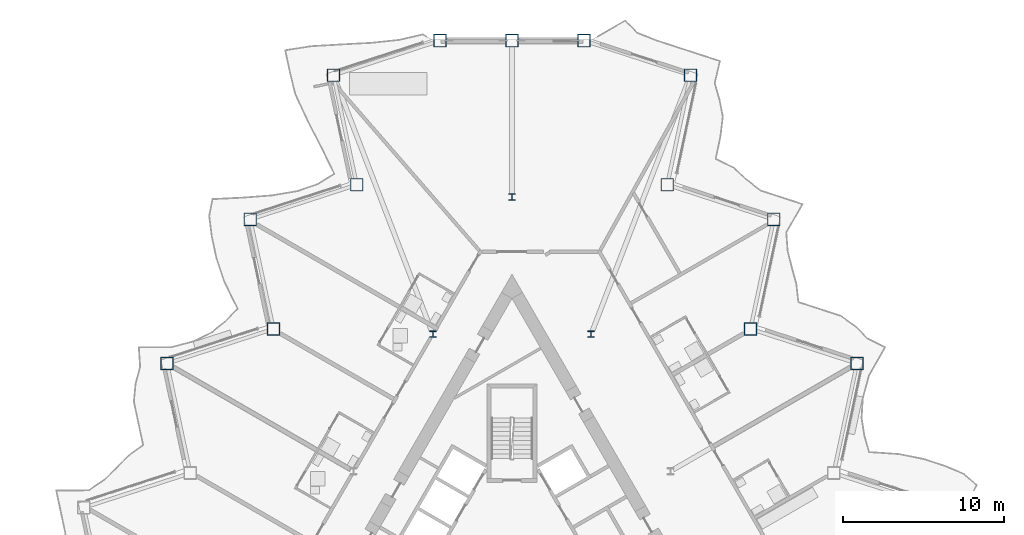
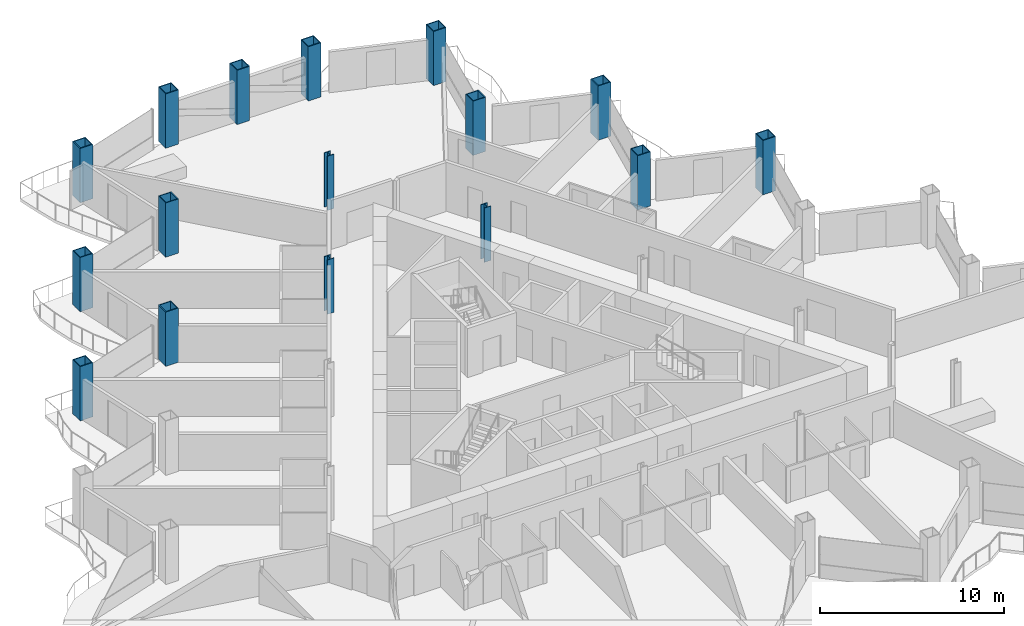
# One storey, part 2 of 23: 16 columns.
"""IFC4 building model written with IfcOpenShell, lengths in metres."""

from ifc_helpers import new_model, si_unit, direction, frame, origin, origin_2d, place, context, subcontext, project, spatial, hollow_rectangle, i_section, extrude, material, material_profile, profile_set, type_object, element, save


model = new_model("IFC4")

# Units and contexts
model_context = context("Model", 3, precision=1e-05, world=origin(), true_north=direction((0.0, 1.0)))
body_context = subcontext(model_context, "Body", "Model", "MODEL_VIEW")
ifc_project = project(units=[si_unit("LENGTHUNIT", "METRE"), si_unit("AREAUNIT", "SQUARE_METRE"), si_unit("VOLUMEUNIT", "CUBIC_METRE"), si_unit("PLANEANGLEUNIT", "RADIAN"), si_unit("MASSUNIT", "GRAM", prefix="KILO")], contexts=[model_context])

# Site, building, storey
site_placement = place(None, origin())
site = spatial("IfcSite", under=ifc_project, at=site_placement, CompositionType="ELEMENT")
building_placement = place(site_placement, origin())
building = spatial("IfcBuilding", under=site, at=building_placement, Name="Cormorant Prow Tower", CompositionType="ELEMENT")
storey_placement = place(building_placement, frame((0.0, 0.0, 183.60009765625)))
storey = spatial("IfcBuildingStorey", under=building, at=storey_placement, Name="L39", CompositionType="ELEMENT", Elevation=183.60009765625)

# Columns
ifc_material_1 = material(Name="Structural steel ASTM A572 Gr 50", Category="steel")
ifc_material_profile_1 = material_profile(ifc_material_1, hollow_rectangle(XDim=0.800048828125, YDim=0.800048828125, WallThickness=0.050048828125, at=origin_2d()), Name="Box 800x800x50")
ifc_profile_set_1 = profile_set([ifc_material_profile_1], Name="Structural steel ASTM A572 Gr 50")
column_type_1 = type_object("IfcColumnType", Name="Perimeter box column 800x800x50", PredefinedType="COLUMN", material=ifc_profile_set_1)
for number, where, z_axis, x_axis, name in (
    (1, (21.409423828125, 12.36083984375, 0.0), (0.0, 0.0, 1.0), (1.0, 0.0, 0.0), "Perimeter column C4 at ENE05 L39"),
    (2, (14.7998046875, 14.50830078125, 0.0), (0.0, 0.0, 1.0), (1.0, 0.0, 0.0), "Perimeter column C4 at ENE06 L39"),
    (3, (16.244873046875, 21.306396484375, 0.0), (0.0, 0.0, 1.0), (1.0, 0.0, 0.0), "Perimeter column C4 at ENE07 L39"),
    (4, (9.63525390625, 23.453857421875, 0.0), (0.0, 0.0, 1.0), (1.0, 0.0, 0.0), "Perimeter column C4 at ENE08 L39"),
    (5, (11.080078125, 30.251953125, 0.0), (0.0, 0.0, 1.0), (1.0, 0.0, 0.0), "Perimeter column C4 at ENE09 L39"),
    (6, (4.470458984375, 32.3994140625, 0.0), (0.0, 0.0, 1.0), (1.0, 0.0, 0.0), "Perimeter column C4 at N00 L39"),
    (7, (0.0, 32.3994140625, 0.0), (0.0, 0.0, 1.0), (1.0, 0.0, 0.0), "Perimeter column C4 at N01 L39"),
    (8, (-4.470458984375, 32.3994140625, 0.0), (0.0, 0.0, 1.0), (1.0, 0.0, 0.0), "Perimeter column C4 at WNW00 L39"),
    (9, (-11.080078125, 30.251953125, 0.0), (0.0, 0.0, 1.0), (1.0, 0.0, 0.0), "Perimeter column C4 at WNW01 L39"),
    (10, (-9.63525390625, 23.453857421875, 0.0), (0.0, 0.0, 1.0), (1.0, 0.0, 0.0), "Perimeter column C4 at WNW02 L39"),
    (11, (-16.244873046875, 21.306396484375, 0.0), (0.0, 0.0, 1.0), (1.0, 0.0, 0.0), "Perimeter column C4 at WNW03 L39"),
    (12, (-14.7998046875, 14.50830078125, 0.0), (0.0, 0.0, 1.0), (1.0, 0.0, 0.0), "Perimeter column C4 at WNW04 L39"),
    (13, (-21.409423828125, 12.36083984375, 0.0), (0.0, 0.0, 1.0), (1.0, 0.0, 0.0), "Perimeter column C4 at WNW05 L39"),
):
    element("IfcColumn", number, at=place(storey_placement, frame(where, z_axis=z_axis, x_axis=x_axis)), inside=storey, type_object=column_type_1, Name=name, PredefinedType="COLUMN", context=body_context, shape_type="SweptSolid", body=[
        extrude(hollow_rectangle(XDim=0.800048828125, YDim=0.800048828125, WallThickness=0.050048828125, at=origin_2d()), origin(), (0.0, 0.0, 1.0), 3.599853515625),
    ])
ifc_material_2 = material(Name="Structural steel ASTM A992 Gr 50", Category="steel")
ifc_material_profile_2 = material_profile(ifc_material_2, i_section(OverallWidth=0.403564453125, OverallDepth=0.407470703125, WebThickness=0.027099609375, FlangeThickness=0.043701171875, at=origin_2d()), Name="W14x233")
ifc_profile_set_2 = profile_set([ifc_material_profile_2], Name="Structural steel ASTM A992 Gr 50")
column_type_2 = type_object("IfcColumnType", Name="Ring column W14x233", PredefinedType="COLUMN", material=ifc_profile_set_2)
for number, where, z_axis, x_axis, name in (
    (14, (0.0, 22.69775390625, 0.0), (0.0, 0.0, 1.0), (1.0, 0.0, 0.0), "Ring column 1 L39"),
    (15, (-4.914306640625, 14.186279296875, 0.0), (0.0, 0.0, 1.0), (1.0, 0.0, 0.0), "Ring column 2 L39"),
    (16, (4.914306640625, 14.186279296875, 0.0), (0.0, 0.0, 1.0), (1.0, 0.0, 0.0), "Ring column 12 L39"),
):
    element("IfcColumn", number, at=place(storey_placement, frame(where, z_axis=z_axis, x_axis=x_axis)), inside=storey, type_object=column_type_2, Name=name, PredefinedType="COLUMN", context=body_context, shape_type="SweptSolid", body=[
        extrude(i_section(OverallWidth=0.403564453125, OverallDepth=0.407470703125, WebThickness=0.027099609375, FlangeThickness=0.043701171875, at=origin_2d()), origin(), (0.0, 0.0, 1.0), 3.599853515625),
    ])

save(model, "model.ifc")
